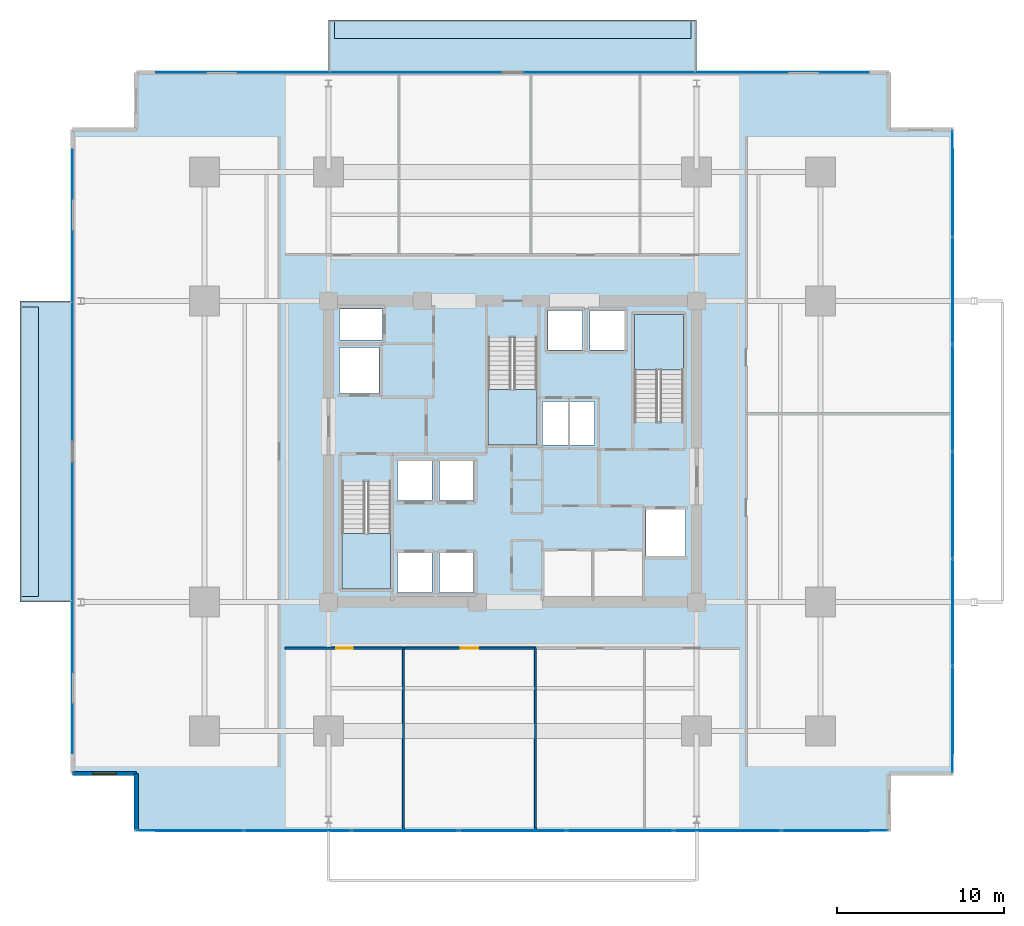
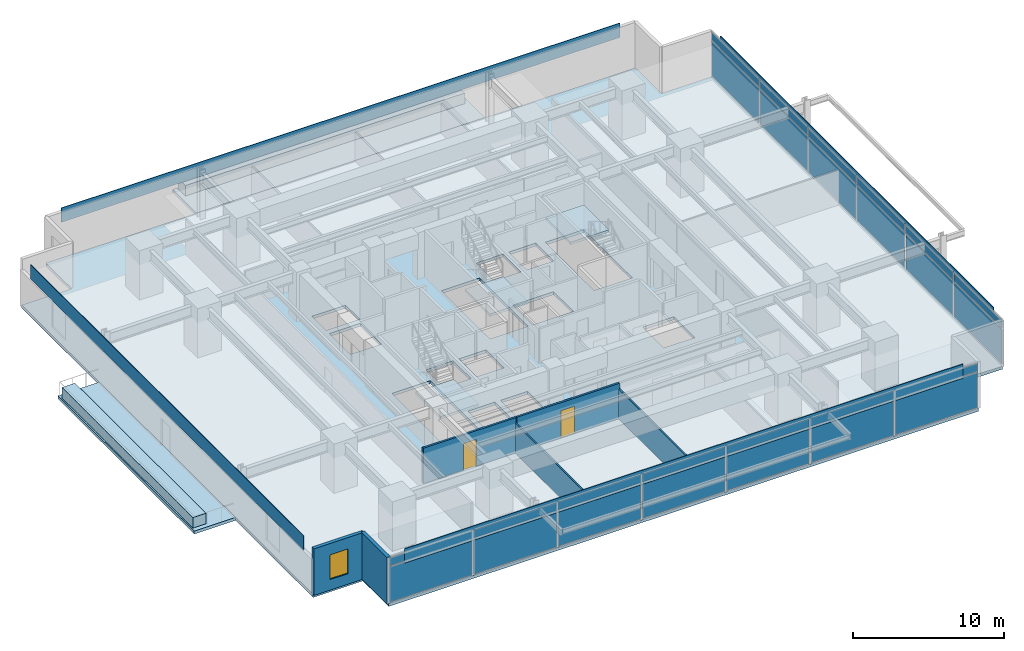
# One storey, part 11 of 19: 30 plates, 8 slabs, 6 walls, 2 doors, 1 window, 3 openings, 5 elements without a shape of their own.
"""IFC4 building model written with IfcOpenShell, lengths in metres."""

from ifc_helpers import new_model, si_unit, direction, frame, frame_2d, origin, origin_2d, place, context, subcontext, project, spatial, polyline, rectangle, outline, extrude, material, layer, layer_set, type_object, element, fill, aggregate, save


model = new_model("IFC4")

# Units and contexts
model_context = context("Model", 3, precision=1e-05, world=origin(), true_north=direction((0.0, 1.0)))
body_context = subcontext(model_context, "Body", "Model", "MODEL_VIEW")
ifc_project = project(units=[si_unit("LENGTHUNIT", "METRE"), si_unit("AREAUNIT", "SQUARE_METRE"), si_unit("VOLUMEUNIT", "CUBIC_METRE"), si_unit("PLANEANGLEUNIT", "RADIAN"), si_unit("MASSUNIT", "GRAM", prefix="KILO")], contexts=[model_context])

# Site, building, storey
site_placement = place(None, origin())
site = spatial("IfcSite", under=ifc_project, at=site_placement, CompositionType="ELEMENT")
building_placement = place(site_placement, origin())
building = spatial("IfcBuilding", under=site, at=building_placement, Name="Kovane Verandah Tower", CompositionType="ELEMENT")
storey_placement = place(building_placement, frame((0.0, 0.0, 83.60009765625)))
storey = spatial("IfcBuildingStorey", under=building, at=storey_placement, Name="L19", CompositionType="ELEMENT", Elevation=83.60009765625)

# Curtain wall, plates
ifc_material_1 = material(Name="Champagne Anodised Aluminium Frame with Low-E Clear Laminated Glass", Category="aluminium")
curtain_wall_type = type_object("IfcCurtainWallType", Name="CW-SYS-02-LOW", PredefinedType="NOTDEFINED", material=ifc_material_1)
curtain_wall_1_placement = place(storey_placement, origin())
curtain_wall_1 = element("IfcCurtainWall", 1, at=curtain_wall_1_placement, inside=storey, type_object=curtain_wall_type, Name="L19 S Unitised Curtain Wall", PredefinedType="NOTDEFINED")
ifc_material_2 = material(Name="Pale Champagne Anodised Aluminium Insulated Spandrel", Category="aluminium")
ifc_layer_1 = layer(ifc_material_2, 0.0400390625)
ifc_layer_set_1 = layer_set([ifc_layer_1], Name="Pale Champagne Anodised Aluminium Insulated Spandrel")
plate_type_1 = type_object("IfcPlateType", Name="PL-CW-SPD-40", PredefinedType="SHEET", material=ifc_layer_set_1)
plate_1_placement = place(storey_placement, frame((20.7275390625, 4.86083984375, 3.02978515625), z_axis=(0.0, 0.0, 1.0), x_axis=(1.0, 0.0, 0.0)))
plate_1 = element("IfcPlate", 2, at=plate_1_placement, type_object=plate_type_1, Name="L19 S Unitised Curtain Wall Spandrel Panel 1", PredefinedType="SHEET", context=body_context, shape_type="SweptSolid", body=[
    extrude(rectangle(XDim=6.2841796875, YDim=0.0400390625, at=origin_2d()), origin(), (0.0, 0.0, 1.0), 0.639892578125),
])
plate_2_placement = place(storey_placement, frame((27.151611328125, 4.86083984375, 3.02978515625), z_axis=(0.0, 0.0, 1.0), x_axis=(1.0, 0.0, 0.0)))
plate_2 = element("IfcPlate", 3, at=plate_2_placement, type_object=plate_type_1, Name="L19 S Unitised Curtain Wall Spandrel Panel 2", PredefinedType="SHEET", context=body_context, shape_type="SweptSolid", body=[
    extrude(rectangle(XDim=6.2841796875, YDim=0.0400390625, at=origin_2d()), origin(), (0.0, 0.0, 1.0), 0.639892578125),
])
plate_3_placement = place(storey_placement, frame((33.57568359375, 4.86083984375, 3.02978515625), z_axis=(0.0, 0.0, 1.0), x_axis=(1.0, 0.0, 0.0)))
plate_3 = element("IfcPlate", 4, at=plate_3_placement, type_object=plate_type_1, Name="L19 S Unitised Curtain Wall Spandrel Panel 3", PredefinedType="SHEET", context=body_context, shape_type="SweptSolid", body=[
    extrude(rectangle(XDim=6.2841796875, YDim=0.0400390625, at=origin_2d()), origin(), (0.0, 0.0, 1.0), 0.639892578125),
])
plate_4_placement = place(storey_placement, frame((40.0, 4.86083984375, 3.02978515625), z_axis=(0.0, 0.0, 1.0), x_axis=(1.0, 0.0, 0.0)))
plate_4 = element("IfcPlate", 5, at=plate_4_placement, type_object=plate_type_1, Name="L19 S Unitised Curtain Wall Spandrel Panel 4", PredefinedType="SHEET", context=body_context, shape_type="SweptSolid", body=[
    extrude(rectangle(XDim=6.2841796875, YDim=0.0400390625, at=origin_2d()), origin(), (0.0, 0.0, 1.0), 0.639892578125),
])
plate_5_placement = place(storey_placement, frame((46.42431640625, 4.86083984375, 3.02978515625), z_axis=(0.0, 0.0, 1.0), x_axis=(1.0, 0.0, 0.0)))
plate_5 = element("IfcPlate", 6, at=plate_5_placement, type_object=plate_type_1, Name="L19 S Unitised Curtain Wall Spandrel Panel 5", PredefinedType="SHEET", context=body_context, shape_type="SweptSolid", body=[
    extrude(rectangle(XDim=6.2841796875, YDim=0.0400390625, at=origin_2d()), origin(), (0.0, 0.0, 1.0), 0.639892578125),
])
plate_6_placement = place(storey_placement, frame((52.848388671875, 4.86083984375, 3.02978515625), z_axis=(0.0, 0.0, 1.0), x_axis=(1.0, 0.0, 0.0)))
plate_6 = element("IfcPlate", 7, at=plate_6_placement, type_object=plate_type_1, Name="L19 S Unitised Curtain Wall Spandrel Panel 6", PredefinedType="SHEET", context=body_context, shape_type="SweptSolid", body=[
    extrude(rectangle(XDim=6.2841796875, YDim=0.0400390625, at=origin_2d()), origin(), (0.0, 0.0, 1.0), 0.639892578125),
])
plate_7_placement = place(storey_placement, frame((59.2724609375, 4.86083984375, 3.02978515625), z_axis=(0.0, 0.0, 1.0), x_axis=(1.0, 0.0, 0.0)))
plate_7 = element("IfcPlate", 8, at=plate_7_placement, type_object=plate_type_1, Name="L19 S Unitised Curtain Wall Spandrel Panel 7", PredefinedType="SHEET", context=body_context, shape_type="SweptSolid", body=[
    extrude(rectangle(XDim=6.2841796875, YDim=0.0400390625, at=origin_2d()), origin(), (0.0, 0.0, 1.0), 0.639892578125),
])

curtain_wall_2_placement = place(storey_placement, origin())
curtain_wall_2 = element("IfcCurtainWall", 9, at=curtain_wall_2_placement, inside=storey, type_object=curtain_wall_type, Name="L19 E Unitised Curtain Wall", PredefinedType="NOTDEFINED")
plate_8_placement = place(storey_placement, frame((66.28466796875, 11.46728515625, 3.02978515625), z_axis=(0.0, 0.0, 1.0), x_axis=(0.0, 1.0, 0.0)))
plate_8 = element("IfcPlate", 10, at=plate_8_placement, type_object=plate_type_1, Name="L19 E Unitised Curtain Wall Spandrel Panel 1", PredefinedType="SHEET", context=body_context, shape_type="SweptSolid", body=[
    extrude(rectangle(XDim=6.273193359375, YDim=0.0400390625, at=origin_2d()), origin(), (0.0, 0.0, 1.0), 0.639892578125),
])
plate_9_placement = place(storey_placement, frame((66.28466796875, 17.88037109375, 3.02978515625), z_axis=(0.0, 0.0, 1.0), x_axis=(0.0, 1.0, 0.0)))
plate_9 = element("IfcPlate", 11, at=plate_9_placement, type_object=plate_type_1, Name="L19 E Unitised Curtain Wall Spandrel Panel 2", PredefinedType="SHEET", context=body_context, shape_type="SweptSolid", body=[
    extrude(rectangle(XDim=6.273193359375, YDim=0.0400390625, at=origin_2d()), origin(), (0.0, 0.0, 1.0), 0.639892578125),
])
plate_10_placement = place(storey_placement, frame((66.28466796875, 24.29345703125, 3.02978515625), z_axis=(0.0, 0.0, 1.0), x_axis=(0.0, 1.0, 0.0)))
plate_10 = element("IfcPlate", 12, at=plate_10_placement, type_object=plate_type_1, Name="L19 E Unitised Curtain Wall Spandrel Panel 3", PredefinedType="SHEET", context=body_context, shape_type="SweptSolid", body=[
    extrude(rectangle(XDim=6.273193359375, YDim=0.0400390625, at=origin_2d()), origin(), (0.0, 0.0, 1.0), 0.639892578125),
])
plate_11_placement = place(storey_placement, frame((66.28466796875, 30.70654296875, 3.02978515625), z_axis=(0.0, 0.0, 1.0), x_axis=(0.0, 1.0, 0.0)))
plate_11 = element("IfcPlate", 13, at=plate_11_placement, type_object=plate_type_1, Name="L19 E Unitised Curtain Wall Spandrel Panel 4", PredefinedType="SHEET", context=body_context, shape_type="SweptSolid", body=[
    extrude(rectangle(XDim=6.273193359375, YDim=0.0400390625, at=origin_2d()), origin(), (0.0, 0.0, 1.0), 0.639892578125),
])
plate_12_placement = place(storey_placement, frame((66.28466796875, 37.11962890625, 3.02978515625), z_axis=(0.0, 0.0, 1.0), x_axis=(0.0, 1.0, 0.0)))
plate_12 = element("IfcPlate", 14, at=plate_12_placement, type_object=plate_type_1, Name="L19 E Unitised Curtain Wall Spandrel Panel 5", PredefinedType="SHEET", context=body_context, shape_type="SweptSolid", body=[
    extrude(rectangle(XDim=6.273193359375, YDim=0.0400390625, at=origin_2d()), origin(), (0.0, 0.0, 1.0), 0.639892578125),
])
plate_13_placement = place(storey_placement, frame((66.28466796875, 43.53271484375, 3.02978515625), z_axis=(0.0, 0.0, 1.0), x_axis=(0.0, 1.0, 0.0)))
plate_13 = element("IfcPlate", 15, at=plate_13_placement, type_object=plate_type_1, Name="L19 E Unitised Curtain Wall Spandrel Panel 6", PredefinedType="SHEET", context=body_context, shape_type="SweptSolid", body=[
    extrude(rectangle(XDim=6.273193359375, YDim=0.0400390625, at=origin_2d()), origin(), (0.0, 0.0, 1.0), 0.639892578125),
])

# Plate
ifc_material_3 = material(Name="Clear Low-E Laminated Double Glazing", Category="glass")
ifc_layer_2 = layer(ifc_material_3, 0.031982421875)
ifc_layer_set_2 = layer_set([ifc_layer_2], Name="Clear Low-E Laminated Double Glazing")
plate_type_2 = type_object("IfcPlateType", Name="PL-CW-VIS-32", PredefinedType="CURTAIN_PANEL", material=ifc_layer_set_2)
plate_14_placement = place(storey_placement, frame((20.7275390625, 4.86083984375, 0.099853515625), z_axis=(0.0, 0.0, 1.0), x_axis=(1.0, 0.0, 0.0)))
plate_14 = element("IfcPlate", 16, at=plate_14_placement, type_object=plate_type_2, Name="L19 S Unitised Curtain Wall Vision Panel 1", PredefinedType="CURTAIN_PANEL", context=body_context, shape_type="SweptSolid", body=[
    extrude(rectangle(XDim=6.2841796875, YDim=0.031982421875, at=origin_2d()), origin(), (0.0, 0.0, 1.0), 2.830078125),
])

plate_15_placement = place(storey_placement, frame((27.151611328125, 4.86083984375, 0.099853515625), z_axis=(0.0, 0.0, 1.0), x_axis=(1.0, 0.0, 0.0)))
plate_15 = element("IfcPlate", 17, at=plate_15_placement, type_object=plate_type_2, Name="L19 S Unitised Curtain Wall Vision Panel 2", PredefinedType="CURTAIN_PANEL", context=body_context, shape_type="SweptSolid", body=[
    extrude(rectangle(XDim=6.2841796875, YDim=0.031982421875, at=origin_2d()), origin(), (0.0, 0.0, 1.0), 2.830078125),
])

plate_16_placement = place(storey_placement, frame((33.57568359375, 4.86083984375, 0.099853515625), z_axis=(0.0, 0.0, 1.0), x_axis=(1.0, 0.0, 0.0)))
plate_16 = element("IfcPlate", 18, at=plate_16_placement, type_object=plate_type_2, Name="L19 S Unitised Curtain Wall Vision Panel 3", PredefinedType="CURTAIN_PANEL", context=body_context, shape_type="SweptSolid", body=[
    extrude(rectangle(XDim=6.2841796875, YDim=0.031982421875, at=origin_2d()), origin(), (0.0, 0.0, 1.0), 2.830078125),
])

plate_17_placement = place(storey_placement, frame((40.0, 4.86083984375, 0.099853515625), z_axis=(0.0, 0.0, 1.0), x_axis=(1.0, 0.0, 0.0)))
plate_17 = element("IfcPlate", 19, at=plate_17_placement, type_object=plate_type_2, Name="L19 S Unitised Curtain Wall Vision Panel 4", PredefinedType="CURTAIN_PANEL", context=body_context, shape_type="SweptSolid", body=[
    extrude(rectangle(XDim=6.2841796875, YDim=0.031982421875, at=origin_2d()), origin(), (0.0, 0.0, 1.0), 2.830078125),
])

plate_18_placement = place(storey_placement, frame((46.42431640625, 4.86083984375, 0.099853515625), z_axis=(0.0, 0.0, 1.0), x_axis=(1.0, 0.0, 0.0)))
plate_18 = element("IfcPlate", 20, at=plate_18_placement, type_object=plate_type_2, Name="L19 S Unitised Curtain Wall Vision Panel 5", PredefinedType="CURTAIN_PANEL", context=body_context, shape_type="SweptSolid", body=[
    extrude(rectangle(XDim=6.2841796875, YDim=0.031982421875, at=origin_2d()), origin(), (0.0, 0.0, 1.0), 2.830078125),
])

plate_19_placement = place(storey_placement, frame((52.848388671875, 4.86083984375, 0.099853515625), z_axis=(0.0, 0.0, 1.0), x_axis=(1.0, 0.0, 0.0)))
plate_19 = element("IfcPlate", 21, at=plate_19_placement, type_object=plate_type_2, Name="L19 S Unitised Curtain Wall Vision Panel 6", PredefinedType="CURTAIN_PANEL", context=body_context, shape_type="SweptSolid", body=[
    extrude(rectangle(XDim=6.2841796875, YDim=0.031982421875, at=origin_2d()), origin(), (0.0, 0.0, 1.0), 2.830078125),
])

plate_20_placement = place(storey_placement, frame((59.2724609375, 4.86083984375, 0.099853515625), z_axis=(0.0, 0.0, 1.0), x_axis=(1.0, 0.0, 0.0)))
plate_20 = element("IfcPlate", 22, at=plate_20_placement, type_object=plate_type_2, Name="L19 S Unitised Curtain Wall Vision Panel 7", PredefinedType="CURTAIN_PANEL", context=body_context, shape_type="SweptSolid", body=[
    extrude(rectangle(XDim=6.2841796875, YDim=0.031982421875, at=origin_2d()), origin(), (0.0, 0.0, 1.0), 2.830078125),
])

aggregate(curtain_wall_1, [plate_14, plate_1, plate_15, plate_2, plate_16, plate_3, plate_17, plate_4, plate_18, plate_5, plate_19, plate_6, plate_20, plate_7])

plate_21_placement = place(storey_placement, frame((66.28466796875, 11.46728515625, 0.099853515625), z_axis=(0.0, 0.0, 1.0), x_axis=(0.0, 1.0, 0.0)))
plate_21 = element("IfcPlate", 23, at=plate_21_placement, type_object=plate_type_2, Name="L19 E Unitised Curtain Wall Vision Panel 1", PredefinedType="CURTAIN_PANEL", context=body_context, shape_type="SweptSolid", body=[
    extrude(rectangle(XDim=6.273193359375, YDim=0.031982421875, at=origin_2d()), origin(), (0.0, 0.0, 1.0), 2.830078125),
])

plate_22_placement = place(storey_placement, frame((66.28466796875, 17.88037109375, 0.099853515625), z_axis=(0.0, 0.0, 1.0), x_axis=(0.0, 1.0, 0.0)))
plate_22 = element("IfcPlate", 24, at=plate_22_placement, type_object=plate_type_2, Name="L19 E Unitised Curtain Wall Vision Panel 2", PredefinedType="CURTAIN_PANEL", context=body_context, shape_type="SweptSolid", body=[
    extrude(rectangle(XDim=6.273193359375, YDim=0.031982421875, at=origin_2d()), origin(), (0.0, 0.0, 1.0), 2.830078125),
])

plate_23_placement = place(storey_placement, frame((66.28466796875, 24.29345703125, 0.099853515625), z_axis=(0.0, 0.0, 1.0), x_axis=(0.0, 1.0, 0.0)))
plate_23 = element("IfcPlate", 25, at=plate_23_placement, type_object=plate_type_2, Name="L19 E Unitised Curtain Wall Vision Panel 3", PredefinedType="CURTAIN_PANEL", context=body_context, shape_type="SweptSolid", body=[
    extrude(rectangle(XDim=6.273193359375, YDim=0.031982421875, at=origin_2d()), origin(), (0.0, 0.0, 1.0), 2.830078125),
])

plate_24_placement = place(storey_placement, frame((66.28466796875, 30.70654296875, 0.099853515625), z_axis=(0.0, 0.0, 1.0), x_axis=(0.0, 1.0, 0.0)))
plate_24 = element("IfcPlate", 26, at=plate_24_placement, type_object=plate_type_2, Name="L19 E Unitised Curtain Wall Vision Panel 4", PredefinedType="CURTAIN_PANEL", context=body_context, shape_type="SweptSolid", body=[
    extrude(rectangle(XDim=6.273193359375, YDim=0.031982421875, at=origin_2d()), origin(), (0.0, 0.0, 1.0), 2.830078125),
])

plate_25_placement = place(storey_placement, frame((66.28466796875, 37.11962890625, 0.099853515625), z_axis=(0.0, 0.0, 1.0), x_axis=(0.0, 1.0, 0.0)))
plate_25 = element("IfcPlate", 27, at=plate_25_placement, type_object=plate_type_2, Name="L19 E Unitised Curtain Wall Vision Panel 5", PredefinedType="CURTAIN_PANEL", context=body_context, shape_type="SweptSolid", body=[
    extrude(rectangle(XDim=6.273193359375, YDim=0.031982421875, at=origin_2d()), origin(), (0.0, 0.0, 1.0), 2.830078125),
])

plate_26_placement = place(storey_placement, frame((66.28466796875, 43.53271484375, 0.099853515625), z_axis=(0.0, 0.0, 1.0), x_axis=(0.0, 1.0, 0.0)))
plate_26 = element("IfcPlate", 28, at=plate_26_placement, type_object=plate_type_2, Name="L19 E Unitised Curtain Wall Vision Panel 6", PredefinedType="CURTAIN_PANEL", context=body_context, shape_type="SweptSolid", body=[
    extrude(rectangle(XDim=6.273193359375, YDim=0.031982421875, at=origin_2d()), origin(), (0.0, 0.0, 1.0), 2.830078125),
])

aggregate(curtain_wall_2, [plate_21, plate_8, plate_22, plate_9, plate_23, plate_10, plate_24, plate_11, plate_25, plate_12, plate_26, plate_13])

# Plates
ifc_material_4 = material(Name="Perforated Pale Champagne Anodised Aluminium Solar Screen", Category="aluminium")
ifc_layer_3 = layer(ifc_material_4, 0.050048828125)
ifc_layer_set_3 = layer_set([ifc_layer_3], Name="Perforated Pale Champagne Anodised Aluminium Solar Screen")
plate_type_3 = type_object("IfcPlateType", Name="PL-SCREEN-50", PredefinedType="USERDEFINED", material=ifc_layer_set_3)
plate_27_placement = place(storey_placement, frame((40.0, 4.845703125, 2.85986328125), z_axis=(0.0, 0.0, 1.0), x_axis=(1.0, 0.0, 0.0)))
element("IfcPlate", 29, at=plate_27_placement, inside=storey, type_object=plate_type_3, Name="L19 S Perforated Champagne-Gold Solar Screen", ObjectType="SCREEN", PredefinedType="USERDEFINED", context=body_context, shape_type="SweptSolid", body=[
    extrude(rectangle(XDim=42.569091796875, YDim=0.050048828125, at=origin_2d()), origin(), (0.0, 0.0, 1.0), 1.14990234375),
])
plate_28_placement = place(storey_placement, frame((66.299560546875, 27.5, 2.85986328125), z_axis=(0.0, 0.0, 1.0), x_axis=(0.0, 1.0, 0.0)))
element("IfcPlate", 30, at=plate_28_placement, inside=storey, type_object=plate_type_3, Name="L19 E Perforated Champagne-Gold Solar Screen", ObjectType="SCREEN", PredefinedType="USERDEFINED", context=body_context, shape_type="SweptSolid", body=[
    extrude(rectangle(XDim=36.077880859375, YDim=0.050048828125, at=origin_2d()), origin(), (0.0, 0.0, 1.0), 1.14990234375),
])
plate_29_placement = place(storey_placement, frame((40.0, 50.154296875, 2.85986328125), z_axis=(0.0, 0.0, 1.0), x_axis=(-1.0, 0.0, 0.0)))
element("IfcPlate", 31, at=plate_29_placement, inside=storey, type_object=plate_type_3, Name="L19 N Perforated Champagne-Gold Solar Screen", ObjectType="SCREEN", PredefinedType="USERDEFINED", context=body_context, shape_type="SweptSolid", body=[
    extrude(rectangle(XDim=42.569091796875, YDim=0.050048828125, at=origin_2d()), origin(), (0.0, 0.0, 1.0), 1.14990234375),
])
plate_30_placement = place(storey_placement, frame((13.700439453125, 27.5, 2.85986328125), z_axis=(0.0, 0.0, 1.0), x_axis=(0.0, -1.0, 0.0)))
element("IfcPlate", 32, at=plate_30_placement, inside=storey, type_object=plate_type_3, Name="L19 W Perforated Champagne-Gold Solar Screen", ObjectType="SCREEN", PredefinedType="USERDEFINED", context=body_context, shape_type="SweptSolid", body=[
    extrude(rectangle(XDim=36.077880859375, YDim=0.050048828125, at=origin_2d()), origin(), (0.0, 0.0, 1.0), 1.14990234375),
])

# Slabs
ifc_material_5 = material(Name="Concrete C45/55", Category="concrete")
ifc_layer_4 = layer(ifc_material_5, 0.239990234375)
ifc_layer_set_4 = layer_set([ifc_layer_4], Name="Concrete C45/55")
slab_type_1 = type_object("IfcSlabType", Name="SL-BALC-240", PredefinedType="FLOOR", material=ifc_layer_set_4)
slab_1_placement = place(storey_placement, frame((0.0, 0.0, -0.239990234375)))
element("IfcSlab", 33, at=slab_1_placement, inside=storey, type_object=slab_type_1, Name="L19 N Planted Verandah Balcony Slab", PredefinedType="FLOOR", context=body_context, shape_type="SweptSolid", body=[
    extrude(outline(polyline([(29.0, 50.13916015625), (51.0, 50.13916015625), (51.0, 53.289306640625), (29.0, 53.289306640625), (29.0, 50.13916015625)])), origin(), (0.0, 0.0, 1.0), 0.239990234375),
])
slab_2_placement = place(storey_placement, frame((0.0, 0.0, -0.239990234375)))
element("IfcSlab", 34, at=slab_2_placement, inside=storey, type_object=slab_type_1, Name="L19 W Planted Verandah Balcony Slab", PredefinedType="FLOOR", context=body_context, shape_type="SweptSolid", body=[
    extrude(outline(polyline([(10.5654296875, 18.5), (13.71533203125, 18.5), (13.71533203125, 36.5), (10.5654296875, 36.5), (10.5654296875, 18.5)])), origin(), (0.0, 0.0, 1.0), 0.239990234375),
])

# Stair, slab
stair_type = type_object("IfcStairType", Name="ST-CORE-1380", PredefinedType="HALF_TURN_STAIR", material=ifc_material_5)
stair_1_placement = place(storey_placement, origin())
stair_1 = element("IfcStair", 35, at=stair_1_placement, inside=storey, type_object=stair_type, Name="L19 Exit Stair ST-01", PredefinedType="HALF_TURN_STAIR")
ifc_layer_5 = layer(ifc_material_5, 0.199951171875)
ifc_layer_set_5 = layer_set([ifc_layer_5], Name="Concrete C45/55")
slab_type_2 = type_object("IfcSlabType", Name="SL-LAND-200", PredefinedType="LANDING", material=ifc_layer_set_5)
slab_3_placement = place(storey_placement, frame((0.0, 0.0, 1.7998046875)))
slab_3 = element("IfcSlab", 36, at=slab_3_placement, type_object=slab_type_2, Name="ST-01 landing 1", PredefinedType="LANDING", context=body_context, shape_type="SweptSolid", body=[
    extrude(outline(polyline([(29.800048828125, 22.614990234375), (29.800048828125, 19.300048828125), (32.719970703125, 19.300048828125), (32.719970703125, 22.614990234375), (29.800048828125, 22.614990234375)])), origin(), (0.0, 0.0, 1.0), 0.2001953125),
])
aggregate(stair_1, [slab_3])

stair_2_placement = place(storey_placement, origin())
stair_2 = element("IfcStair", 37, at=stair_2_placement, inside=storey, type_object=stair_type, Name="L19 Exit Stair ST-02", PredefinedType="HALF_TURN_STAIR")
slab_4_placement = place(storey_placement, frame((0.0, 0.0, 1.7998046875)))
slab_4 = element("IfcSlab", 38, at=slab_4_placement, type_object=slab_type_2, Name="ST-02 landing 1", PredefinedType="LANDING", context=body_context, shape_type="SweptSolid", body=[
    extrude(outline(polyline([(50.199951171875, 32.385009765625), (50.199951171875, 35.699951171875), (47.280029296875, 35.699951171875), (47.280029296875, 32.385009765625), (50.199951171875, 32.385009765625)])), origin(), (0.0, 0.0, 1.0), 0.2001953125),
])
aggregate(stair_2, [slab_4])

stair_3_placement = place(storey_placement, origin())
stair_3 = element("IfcStair", 39, at=stair_3_placement, inside=storey, type_object=stair_type, Name="L19 Exit Stair ST-03", PredefinedType="HALF_TURN_STAIR")
slab_5_placement = place(storey_placement, frame((0.0, 0.0, 1.7998046875)))
slab_5 = element("IfcSlab", 40, at=slab_5_placement, type_object=slab_type_2, Name="ST-03 landing 1", PredefinedType="LANDING", context=body_context, shape_type="SweptSolid", body=[
    extrude(outline(polyline([(38.5400390625, 31.215087890625), (38.5400390625, 27.89990234375), (41.4599609375, 27.89990234375), (41.4599609375, 31.215087890625), (38.5400390625, 31.215087890625)])), origin(), (0.0, 0.0, 1.0), 0.2001953125),
])
aggregate(stair_3, [slab_5])

# Slabs
ifc_material_6 = material(Name="Architectural Precast Concrete C45/55 Planter Trough", Category="concrete")
ifc_layer_6 = layer(ifc_material_6, 0.219970703125)
ifc_layer_set_6 = layer_set([ifc_layer_6], Name="Architectural Precast Concrete C45/55 Planter Trough")
slab_type_3 = type_object("IfcSlabType", Name="SL-PLANTER-220", PredefinedType="USERDEFINED", material=ifc_layer_set_6)
slab_6_placement = place(storey_placement, origin())
element("IfcSlab", 41, at=slab_6_placement, inside=storey, type_object=slab_type_3, Name="L19 N Structural Tree Planter", ObjectType="PLANTER", PredefinedType="USERDEFINED", context=body_context, shape_type="SweptSolid", body=[
    extrude(outline(polyline([(29.35009765625, 52.189208984375), (50.64990234375, 52.189208984375), (50.64990234375, 53.189208984375), (29.35009765625, 53.189208984375), (29.35009765625, 52.189208984375)])), origin(), (0.0, 0.0, 1.0), 0.849853515625),
])
slab_7_placement = place(storey_placement, origin())
element("IfcSlab", 42, at=slab_7_placement, inside=storey, type_object=slab_type_3, Name="L19 W Structural Tree Planter", ObjectType="PLANTER", PredefinedType="USERDEFINED", context=body_context, shape_type="SweptSolid", body=[
    extrude(outline(polyline([(10.665283203125, 18.85009765625), (11.665283203125, 18.85009765625), (11.665283203125, 36.14990234375), (10.665283203125, 36.14990234375), (10.665283203125, 18.85009765625)])), origin(), (0.0, 0.0, 1.0), 0.849853515625),
])
ifc_layer_7 = layer(ifc_material_5, 0.239990234375)
ifc_layer_set_7 = layer_set([ifc_layer_7], Name="Concrete C45/55")
slab_type_4 = type_object("IfcSlabType", Name="SL-TYP-240", PredefinedType="FLOOR", material=ifc_layer_set_7)
slab_8_placement = place(storey_placement, frame((0.0, 0.0, -0.239990234375)))
element("IfcSlab", 43, at=slab_8_placement, inside=storey, type_object=slab_type_4, Name="L19 Structural Floor Slab", PredefinedType="FLOOR", context=body_context, shape_type="SweptSolid", body=[
    extrude(outline(polyline([(17.515380859375, 4.86083984375), (62.484619140625, 4.86083984375), (62.484619140625, 8.2607421875), (66.28466796875, 8.2607421875), (66.28466796875, 46.7392578125), (62.484619140625, 46.7392578125), (62.484619140625, 50.13916015625), (17.515380859375, 50.13916015625), (17.515380859375, 46.7392578125), (13.71533203125, 46.7392578125), (13.71533203125, 8.2607421875), (17.515380859375, 8.2607421875), (17.515380859375, 4.86083984375)]), holes=[polyline([(29.800048828125, 19.300048828125), (32.719970703125, 19.300048828125), (32.719970703125, 25.705078125), (29.800048828125, 25.705078125), (29.800048828125, 19.300048828125)]), polyline([(47.280029296875, 29.294921875), (50.199951171875, 29.294921875), (50.199951171875, 35.699951171875), (47.280029296875, 35.699951171875), (47.280029296875, 29.294921875)]), polyline([(38.5400390625, 27.89990234375), (41.4599609375, 27.89990234375), (41.4599609375, 34.304931640625), (38.5400390625, 34.304931640625), (38.5400390625, 27.89990234375)]), polyline([(29.669921875, 30.969970703125), (32.030029296875, 30.969970703125), (32.030029296875, 33.72998046875), (29.669921875, 33.72998046875), (29.669921875, 30.969970703125)]), polyline([(47.969970703125, 21.27001953125), (50.330078125, 21.27001953125), (50.330078125, 24.030029296875), (47.969970703125, 24.030029296875), (47.969970703125, 21.27001953125)]), polyline([(29.669921875, 34.169921875), (32.22998046875, 34.169921875), (32.22998046875, 36.030029296875), (29.669921875, 36.030029296875), (29.669921875, 34.169921875)]), polyline([(33.1201171875, 19.070068359375), (35.179931640625, 19.070068359375), (35.179931640625, 21.429931640625), (33.1201171875, 21.429931640625), (33.1201171875, 19.070068359375)]), polyline([(35.6201171875, 19.070068359375), (37.679931640625, 19.070068359375), (37.679931640625, 21.429931640625), (35.6201171875, 21.429931640625), (35.6201171875, 19.070068359375)]), polyline([(33.1201171875, 24.570068359375), (35.179931640625, 24.570068359375), (35.179931640625, 26.929931640625), (33.1201171875, 26.929931640625), (33.1201171875, 24.570068359375)]), polyline([(35.6201171875, 24.570068359375), (37.679931640625, 24.570068359375), (37.679931640625, 26.929931640625), (35.6201171875, 26.929931640625), (35.6201171875, 24.570068359375)]), polyline([(42.1201171875, 33.570068359375), (44.179931640625, 33.570068359375), (44.179931640625, 35.929931640625), (42.1201171875, 35.929931640625), (42.1201171875, 33.570068359375)]), polyline([(44.6201171875, 33.570068359375), (46.679931640625, 33.570068359375), (46.679931640625, 35.929931640625), (44.6201171875, 35.929931640625), (44.6201171875, 33.570068359375)]), polyline([(41.800048828125, 27.89990234375), (44.89990234375, 27.89990234375), (44.89990234375, 30.5), (41.800048828125, 30.5), (41.800048828125, 27.89990234375)])]), origin(), (0.0, 0.0, 1.0), 0.239990234375),
])

# Wall, opening, door
ifc_material_7 = material(Name="Fire-Rated Gypsum Stud Partition", Category="gypsum")
ifc_layer_8 = layer(ifc_material_7, 0.14990234375)
ifc_layer_set_8 = layer_set([ifc_layer_8], Name="Fire-Rated Gypsum Stud Partition")
wall_type_1 = type_object("IfcWallType", Name="WL-COR-150", PredefinedType="PARTITIONING", material=ifc_layer_set_8)
wall_1_placement = place(storey_placement, frame((26.39990234375, 15.75, 0.0), z_axis=(0.0, 0.0, 1.0), x_axis=(1.0, 0.0, 0.0)))
wall_1 = element("IfcWall", 44, at=wall_1_placement, inside=storey, type_object=wall_type_1, Name="L19 Open Plan Office S1 Corridor Partition", PredefinedType="PARTITIONING", context=body_context, shape_type="SweptSolid", body=[
    extrude(rectangle(XDim=7.072021484375, YDim=0.14990234375, at=frame_2d((3.5361328125, 0.0))), origin(), (0.0, 0.0, 1.0), 2.849853515625),
])
opening_1_placement = place(wall_1_placement, frame((3.051025390625, 0.0, 0.0)))
opening_1 = element("IfcOpeningElement", 45, at=opening_1_placement, cuts=wall_1, Name="Opening DR-L19-023", PredefinedType="OPENING", context=body_context, shape_type="SweptSolid", body=[
    extrude(rectangle(XDim=1.0, YDim=2.14990234375, at=frame_2d((0.5, 1.074951171875))), frame((0.0, 0.074951171875, 0.0), z_axis=(0.0, -1.0, 0.0), x_axis=(1.0, 0.0, 0.0)), (0.0, 0.0, 1.0), 0.14990234375),
])
ifc_material_8 = material(Name="FSC Spotted-Gum Timber Fire-Rated Office Door", Category="wood")
door_type_1 = type_object("IfcDoorType", Name="DR-OFF-1000", OperationType="SINGLE_SWING_LEFT", PredefinedType="DOOR", material=ifc_material_8)
door_1_placement = place(opening_1_placement, origin())
door_1 = element("IfcDoor", 46, at=door_1_placement, inside=storey, type_object=door_type_1, Name="L19 Open Plan Office S1 Entrance Door", OperationType="SINGLE_SWING_RIGHT", OverallHeight=2.14990234375, OverallWidth=1.0, PredefinedType="DOOR", context=body_context, shape_type="SweptSolid", body=[
    extrude(rectangle(XDim=1.0, YDim=2.14990234375, at=frame_2d((0.5, 1.074951171875))), frame((0.0, 0.02490234375, 0.0), z_axis=(0.0, -1.0, 0.0), x_axis=(1.0, 0.0, 0.0)), (0.0, 0.0, 1.0), 0.050048828125),
])
fill(opening_1, door_1)

wall_2_placement = place(storey_placement, frame((33.5419921875, 15.75, 0.0), z_axis=(0.0, 0.0, 1.0), x_axis=(1.0, 0.0, 0.0)))
wall_2 = element("IfcWall", 47, at=wall_2_placement, inside=storey, type_object=wall_type_1, Name="L19 Executive Office S2 Corridor Partition", PredefinedType="PARTITIONING", context=body_context, shape_type="SweptSolid", body=[
    extrude(rectangle(XDim=7.818115234375, YDim=0.14990234375, at=frame_2d((3.9091796875, 0.0))), origin(), (0.0, 0.0, 1.0), 2.849853515625),
])
opening_2_placement = place(wall_2_placement, frame((3.34912109375, 0.0, 0.0)))
opening_2 = element("IfcOpeningElement", 48, at=opening_2_placement, cuts=wall_2, Name="Opening DR-L19-024", PredefinedType="OPENING", context=body_context, shape_type="SweptSolid", body=[
    extrude(rectangle(XDim=1.050048828125, YDim=2.199951171875, at=frame_2d((0.52490234375, 1.10009765625))), frame((0.0, 0.074951171875, 0.0), z_axis=(0.0, -1.0, 0.0), x_axis=(1.0, 0.0, 0.0)), (0.0, 0.0, 1.0), 0.14990234375),
])
ifc_material_9 = material(Name="FSC Blackbutt Timber Fire-Rated Executive Door", Category="wood")
door_type_2 = type_object("IfcDoorType", Name="DR-EXEC-1050", OperationType="SINGLE_SWING_LEFT", PredefinedType="DOOR", material=ifc_material_9)
door_2_placement = place(opening_2_placement, origin())
door_2 = element("IfcDoor", 49, at=door_2_placement, inside=storey, type_object=door_type_2, Name="L19 Executive Office S2 Entrance Door", OperationType="SINGLE_SWING_LEFT", OverallHeight=2.199951171875, OverallWidth=1.050048828125, PredefinedType="DOOR", context=body_context, shape_type="SweptSolid", body=[
    extrude(rectangle(XDim=1.050048828125, YDim=2.199951171875, at=frame_2d((0.52490234375, 1.10009765625))), frame((0.0, 0.02490234375, 0.0), z_axis=(0.0, -1.0, 0.0), x_axis=(1.0, 0.0, 0.0)), (0.0, 0.0, 1.0), 0.050048828125),
])
fill(opening_2, door_2)

# Walls
ifc_material_10 = material(Name="Acoustic Fire-Rated Gypsum Partition", Category="gypsum")
ifc_layer_9 = layer(ifc_material_10, 0.1201171875)
ifc_layer_set_9 = layer_set([ifc_layer_9], Name="Acoustic Fire-Rated Gypsum Partition")
wall_type_2 = type_object("IfcWallType", Name="WL-PART-120", PredefinedType="PARTITIONING", material=ifc_layer_set_9)
for number, where, z_axis, x_axis, name in (
    (50, (33.471923828125, 4.960693359375, 0.0), (0.0, 0.0, 1.0), (0.0, 1.0, 0.0), "L19 Open Plan Office S1 Dividing Partition"),
    (51, (41.360107421875, 4.960693359375, 0.0), (0.0, 0.0, 1.0), (0.0, 1.0, 0.0), "L19 Executive Office S2 Dividing Partition"),
):
    element("IfcWall", number, at=place(storey_placement, frame(where, z_axis=z_axis, x_axis=x_axis)), inside=storey, type_object=wall_type_2, Name=name, PredefinedType="PARTITIONING", context=body_context, shape_type="SweptSolid", body=[
        extrude(rectangle(XDim=10.789306640625, YDim=0.1201171875, at=frame_2d((5.39453125, 0.0))), origin(), (0.0, 0.0, 1.0), 2.389892578125),
    ])

# Wall, opening, window
ifc_material_11 = material(Name="Concrete C45/55 Insulated Spandrel Wall", Category="concrete")
ifc_layer_10 = layer(ifc_material_11, 0.260009765625)
ifc_layer_set_10 = layer_set([ifc_layer_10], Name="Concrete C45/55 Insulated Spandrel Wall")
wall_type_3 = type_object("IfcWallType", Name="WL-SPANDREL-260", PredefinedType="PARAPET", material=ifc_layer_set_10)
wall_3_placement = place(storey_placement, frame((13.71533203125, 8.2607421875, 0.0), z_axis=(0.0, 0.0, 1.0), x_axis=(1.0, 0.0, 0.0)))
wall_3 = element("IfcWall", 52, at=wall_3_placement, inside=storey, type_object=wall_type_3, Name="L19 SW Notch Cheek Wall 1", PredefinedType="PARAPET", context=body_context, shape_type="SweptSolid", body=[
    extrude(rectangle(XDim=3.800048828125, YDim=0.260009765625, at=frame_2d((1.89990234375, 0.0))), origin(), (0.0, 0.0, 1.0), 3.760009765625),
])
opening_3_placement = place(wall_3_placement, frame((1.199951171875, 0.0, 0.85009765625)))
opening_3 = element("IfcOpeningElement", 53, at=opening_3_placement, cuts=wall_3, Name="Opening W-01", PredefinedType="OPENING", context=body_context, shape_type="SweptSolid", body=[
    extrude(rectangle(XDim=1.39990234375, YDim=2.0, at=frame_2d((0.699951171875, 1.0))), frame((0.0, 0.1298828125, 0.0), z_axis=(0.0, -1.0, 0.0), x_axis=(1.0, 0.0, 0.0)), (0.0, 0.0, 1.0), 0.260009765625),
])
ifc_material_12 = material(Name="Clear Low-E Laminated Double Glazing in Anodised Frame", Category="glass")
window_type = type_object("IfcWindowType", Name="WN-OPER-1400x2000", PartitioningType="SINGLE_PANEL", PredefinedType="WINDOW", material=ifc_material_12)
window_placement = place(opening_3_placement, origin())
window = element("IfcWindow", 54, at=window_placement, inside=storey, type_object=window_type, Name="L19 SW Re-Entrant Corner Operable Window", OverallHeight=2.0, OverallWidth=1.39990234375, PartitioningType="SINGLE_PANEL", PredefinedType="WINDOW", context=body_context, shape_type="SweptSolid", body=[
    extrude(rectangle(XDim=1.39990234375, YDim=2.0, at=frame_2d((0.699951171875, 1.0))), frame((0.0, 0.030029296875, 0.0), z_axis=(0.0, -1.0, 0.0), x_axis=(1.0, 0.0, 0.0)), (0.0, 0.0, 1.0), 0.06005859375),
])
fill(opening_3, window)

# Wall
wall_4_placement = place(storey_placement, frame((17.515380859375, 8.2607421875, 0.0), z_axis=(0.0, 0.0, 1.0), x_axis=(0.0, -1.0, 0.0)))
element("IfcWall", 55, at=wall_4_placement, inside=storey, type_object=wall_type_3, Name="L19 SW Notch Cheek Wall 2", PredefinedType="PARAPET", context=body_context, shape_type="SweptSolid", body=[
    extrude(rectangle(XDim=3.39990234375, YDim=0.260009765625, at=frame_2d((1.699951171875, 0.0))), origin(), (0.0, 0.0, 1.0), 3.760009765625),
])

save(model, "model.ifc")
